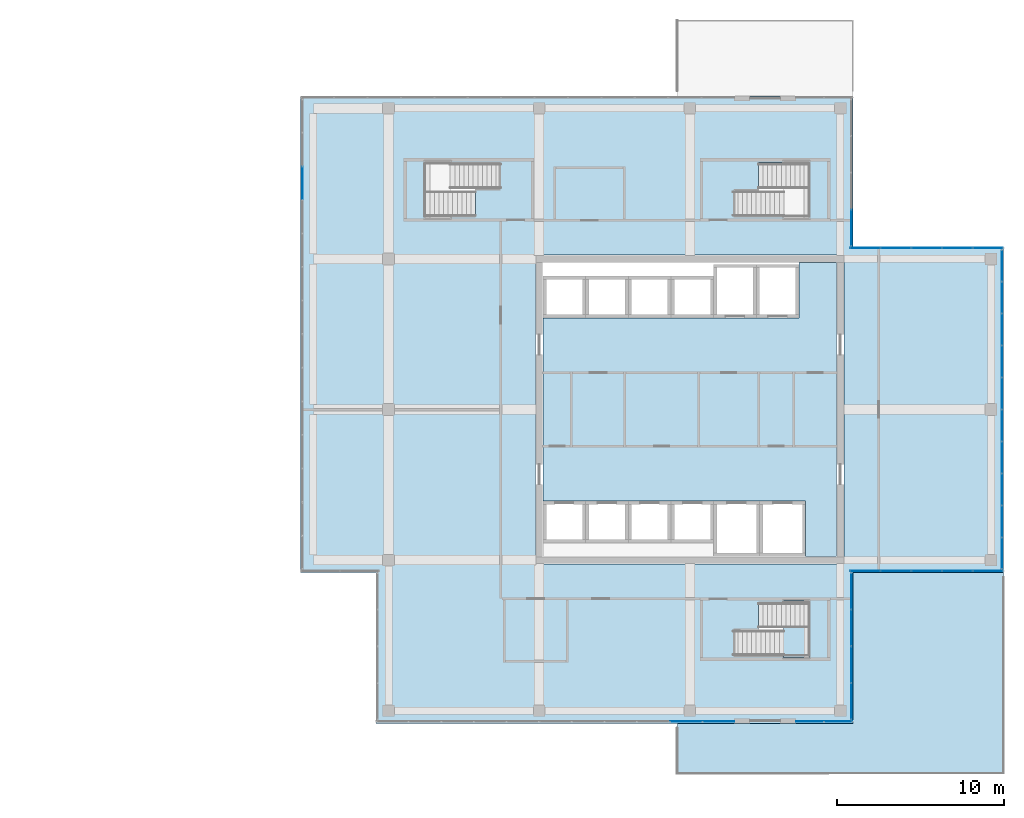
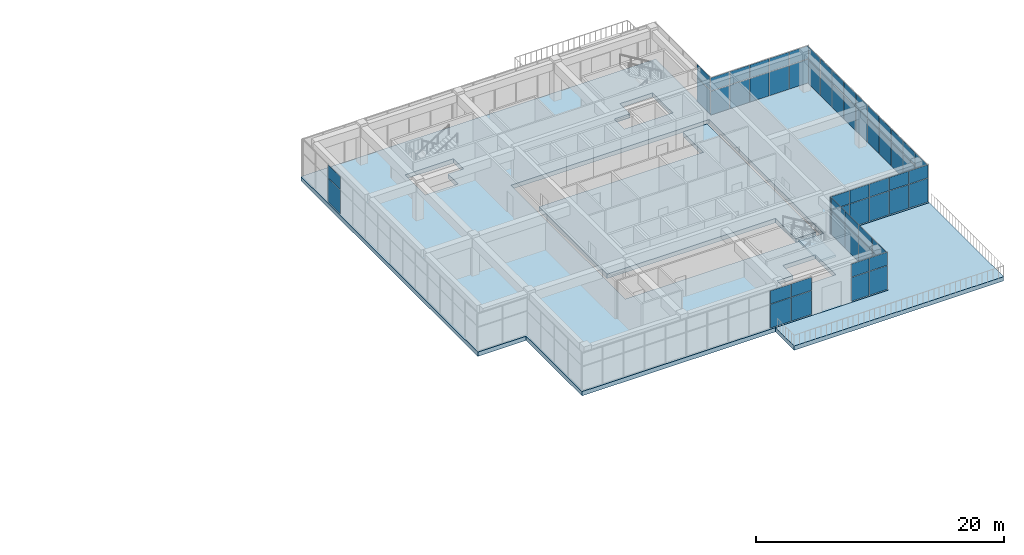
# One storey, part 37 of 49: 60 plates, 4 slabs, 9 elements without a shape of their own.
"""IFC4 building model written with IfcOpenShell, lengths in metres."""

import ifcopenshell
import ifcopenshell.guid

model = None  # the IFC model being written
_history = None  # IfcOwnerHistory: only IFC2X3 demands one
_inside = {}  # id of a spatial element -> (the spatial element, [elements in it])
_under = {}  # id of a project, library or spatial element -> (it, [spatial elements below it])
_declared = {}  # id of a project -> (the project, [libraries it declares])
_typed = {}  # id of a type object -> (the type object, [elements of that type])
_made_of = {}  # id of a material, layer set ... -> (it, [elements and type objects made of it])


def new_model(schema):
    """Start an empty IFC model of exactly this schema.

    Asked for "IFC4X3", IfcOpenShell would pick the latest addendum, in which some entities
    have other attributes; the version numbers below select the first issue.
    IFC2X3 requires an IfcOwnerHistory on every rooted entity: one is made here for all.
    """
    global model, _history
    if schema == "IFC4X3":
        model = ifcopenshell.file(schema_version=(4, 3, 0, 0))
    else:
        model = ifcopenshell.file(schema=schema)
    _inside.clear()
    _under.clear()
    _declared.clear()
    _typed.clear()
    _made_of.clear()
    _history = None
    if model.schema == "IFC2X3":
        org = make("IfcOrganization", Name="unknown")
        user = make(
            "IfcPersonAndOrganization",
            ThePerson=make("IfcPerson", FamilyName="unknown"),
            TheOrganization=org,
        )
        app = make(
            "IfcApplication",
            ApplicationDeveloper=org,
            Version="unknown",
            ApplicationFullName="unknown",
            ApplicationIdentifier="unknown",
        )
        _history = make(
            "IfcOwnerHistory",
            OwningUser=user,
            OwningApplication=app,
            ChangeAction="ADDED",
            CreationDate=0,
        )
    return model


def make(cls, **values):
    """One entity of the class cls with the attributes given. An attribute that is None is left unset."""
    return model.create_entity(
        cls, **{name: value for name, value in values.items() if value is not None}
    )


def rooted(cls, **values):
    """An entity with a GlobalId (a new one), such as an element, a storey or a relation."""
    return make(cls, GlobalId=ifcopenshell.guid.new(), OwnerHistory=_history, **values)


def si_unit(unit_type, name, prefix=None):
    """IfcSIUnit, for example si_unit("LENGTHUNIT", "METRE", prefix="MILLI")."""
    return make("IfcSIUnit", UnitType=unit_type, Prefix=prefix, Name=name)


def assignment(units):
    """IfcUnitAssignment: the units of a project."""
    return None if units is None else make("IfcUnitAssignment", Units=units)


def point(xyz):
    """IfcCartesianPoint."""
    return None if xyz is None else make("IfcCartesianPoint", Coordinates=xyz)


def direction(xyz):
    """IfcDirection."""
    return None if xyz is None else make("IfcDirection", DirectionRatios=xyz)


def frame(location, z_axis=None, x_axis=None):
    """IfcAxis2Placement3D, a coordinate frame: its origin and axes. An axis left out is left unset."""
    return make(
        "IfcAxis2Placement3D",
        Location=point(location),
        Axis=direction(z_axis),
        RefDirection=direction(x_axis),
    )


def frame_2d(location, x_axis=None):
    """IfcAxis2Placement2D, a coordinate frame in the plane: its origin and x axis."""
    return make(
        "IfcAxis2Placement2D", Location=point(location), RefDirection=direction(x_axis)
    )


def origin():
    """The frame at (0, 0, 0) with its axes left unset."""
    return frame((0.0, 0.0, 0.0))


def origin_2d():
    """The frame at (0, 0) in the plane with its x axis left unset."""
    return frame_2d((0.0, 0.0))


def place(relative_to, where):
    """IfcLocalPlacement: puts the frame where relative to a parent placement (None: the world)."""
    return make(
        "IfcLocalPlacement", PlacementRelTo=relative_to, RelativePlacement=where
    )


def context(
    kind, dimensions, precision=None, world=None, true_north=None, identifier=None
):
    """IfcGeometricRepresentationContext, for example the 3D "Model" context."""
    return make(
        "IfcGeometricRepresentationContext",
        ContextIdentifier=identifier,
        ContextType=kind,
        CoordinateSpaceDimension=dimensions,
        Precision=precision,
        WorldCoordinateSystem=world,
        TrueNorth=true_north,
    )


def subcontext(parent, identifier, kind, view, scale=None):
    """IfcGeometricRepresentationSubContext, for example "Body" below "Model"."""
    return make(
        "IfcGeometricRepresentationSubContext",
        ContextIdentifier=identifier,
        ContextType=kind,
        ParentContext=parent,
        TargetScale=scale,
        TargetView=view,
    )


def project(units=None, contexts=None):
    """IfcProject with its units and contexts."""
    return rooted(
        "IfcProject",
        Name="project",
        RepresentationContexts=contexts,
        UnitsInContext=assignment(units),
    )


def spatial(cls, under=None, at=None, **own):
    """A site, building, storey or space (cls), placed at a placement, below another one or the project."""
    s = rooted(cls, ObjectPlacement=at, **own)
    if under is not None:
        _under.setdefault(under.id(), (under, []))[1].append(s)
    return s


def polyline(points):
    """IfcPolyline through the points."""
    return make("IfcPolyline", Points=[point(p) for p in points])


def profile(cls, at=None, kind="AREA", **sizes):
    """A parametric profile (cls). Its sizes go by their IFC names, for example OverallWidth=200.0."""
    return make(cls, ProfileType=kind, Position=at, **sizes)


def rectangle(**sizes):
    """IfcRectangleProfileDef."""
    return profile("IfcRectangleProfileDef", **sizes)


def outline(outer, holes=None, kind="AREA"):
    """IfcArbitraryClosedProfileDef: a profile drawn as a closed curve; with holes, ...WithVoids."""
    if holes is None:
        return make("IfcArbitraryClosedProfileDef", ProfileType=kind, OuterCurve=outer)
    return make(
        "IfcArbitraryProfileDefWithVoids",
        ProfileType=kind,
        OuterCurve=outer,
        InnerCurves=holes,
    )


def extrude(swept, where, along, depth):
    """IfcExtrudedAreaSolid: the profile swept, set in the frame where, extruded along a direction by depth."""
    return make(
        "IfcExtrudedAreaSolid",
        SweptArea=swept,
        Position=where,
        ExtrudedDirection=direction(along),
        Depth=depth,
    )


def shape(context_of_items, identifier, shape_type, items):
    """IfcShapeRepresentation: the items that make up one representation, for example the "Body"."""
    return make(
        "IfcShapeRepresentation",
        ContextOfItems=context_of_items,
        RepresentationIdentifier=identifier,
        RepresentationType=shape_type,
        Items=items,
    )


def material(Name=None, Category=None):
    """IfcMaterial."""
    return make("IfcMaterial", Name=Name, Category=Category)


def layer(
    of_material, thickness, ventilated=None, Name=None, Category=None, Priority=None
):
    """IfcMaterialLayer: one layer of a wall or slab, of a material (None: an air gap)."""
    return make(
        "IfcMaterialLayer",
        Material=of_material,
        LayerThickness=thickness,
        IsVentilated=ventilated,
        Name=Name,
        Category=Category,
        Priority=Priority,
    )


def layer_set(layers, Name=None):
    """IfcMaterialLayerSet."""
    return make("IfcMaterialLayerSet", MaterialLayers=layers, LayerSetName=Name)


def made_of(thing, what):
    """Note that an element or type object is made of a material, layer set ...; save() writes the relation."""
    if what is not None:
        _made_of.setdefault(what.id(), (what, []))[1].append(thing)
    return thing


def type_object(cls, material=None, **own):
    """A type object (cls), such as IfcWallType, which elements share."""
    return made_of(rooted(cls, **own), material)


def element(
    cls,
    number,
    at=None,
    inside=None,
    cuts=None,
    type_object=None,
    material=None,
    context=None,
    identifier="Body",
    shape_type=None,
    held_by="IfcProductDefinitionShape",
    body=None,
    shapes=None,
    **own,
):
    """One element of the class cls, such as IfcWall. Its Tag is "e" and its number.

    at: its placement. inside: the storey or other place that contains it. cuts: it is an
    opening in that element (IfcRelVoidsElement). A single representation is given by context,
    identifier, shape_type and body (its items); several are given by shapes. held_by: the class
    of the entity that holds the representations. save() writes the other relations.
    """
    e = rooted(cls, Tag="e%d" % number, ObjectPlacement=at, **own)
    if body is not None:
        shapes = [shape(context, identifier, shape_type, body)]
    if shapes is not None:
        e.Representation = make(held_by, Representations=shapes)
    if inside is not None:
        _inside.setdefault(inside.id(), (inside, []))[1].append(e)
    if cuts is not None:
        rooted(
            "IfcRelVoidsElement", RelatingBuildingElement=cuts, RelatedOpeningElement=e
        )
    if type_object is not None:
        _typed.setdefault(type_object.id(), (type_object, []))[1].append(e)
    return made_of(e, material)


def aggregate(whole, parts):
    """IfcRelAggregates: a whole, such as a stair, and the parts it consists of."""
    return rooted("IfcRelAggregates", RelatingObject=whole, RelatedObjects=parts)


def save(model, path):
    """Write the relations noted so far, then the file.

    IfcRelAggregates (storeys below a building ...), IfcRelContainedInSpatialStructure (elements
    in a storey), IfcRelDefinesByType, IfcRelAssociatesMaterial and IfcRelDeclares: one each for
    every whole, place, type object, material and project.
    """
    for whole, parts in _under.values():
        aggregate(whole, parts)
    for where, things in _inside.values():
        rooted(
            "IfcRelContainedInSpatialStructure",
            RelatedElements=things,
            RelatingStructure=where,
        )
    for kind, things in _typed.values():
        rooted("IfcRelDefinesByType", RelatedObjects=things, RelatingType=kind)
    for what, things in _made_of.values():
        rooted("IfcRelAssociatesMaterial", RelatedObjects=things, RelatingMaterial=what)
    for by, libraries in _declared.values():
        rooted("IfcRelDeclares", RelatingContext=by, RelatedDefinitions=libraries)
    model.write(path)


model = new_model("IFC4")

# Units and contexts
model_context = context("Model", 3, precision=1e-05, world=origin(), true_north=direction((0.0, 1.0)))
body_context = subcontext(model_context, "Body", "Model", "MODEL_VIEW")
ifc_project = project(units=[si_unit("LENGTHUNIT", "METRE"), si_unit("AREAUNIT", "SQUARE_METRE"), si_unit("VOLUMEUNIT", "CUBIC_METRE"), si_unit("PLANEANGLEUNIT", "RADIAN"), si_unit("MASSUNIT", "GRAM", prefix="KILO")], contexts=[model_context])

# Site, building, storey
site_placement = place(None, origin())
site = spatial("IfcSite", under=ifc_project, at=site_placement, CompositionType="ELEMENT")
building_placement = place(site_placement, origin())
building = spatial("IfcBuilding", under=site, at=building_placement, Name="Tuart Plaza Theatre", CompositionType="ELEMENT")
storey_placement = place(building_placement, frame((0.0, 0.0, 29.5)))
storey = spatial("IfcBuildingStorey", under=building, at=storey_placement, Name="L07", CompositionType="ELEMENT", Elevation=29.5)

# Curtain wall, plates
ifc_material_1 = material(Name="Aluminium and glass", Category="aluminium")
ifc_layer_1 = layer(ifc_material_1, 0.10009765625)
ifc_layer_set_1 = layer_set([ifc_layer_1], Name="CURTAIN WALL 2000 module")
curtain_wall_type = type_object("IfcCurtainWallType", Name="CURTAIN WALL 2000 module", PredefinedType="NOTDEFINED", material=ifc_layer_set_1)
curtain_wall_1_placement = place(storey_placement, origin())
curtain_wall_1 = element("IfcCurtainWall", 1, at=curtain_wall_1_placement, inside=storey, type_object=curtain_wall_type, Name="CW88", PredefinedType="NOTDEFINED")
ifc_material_2 = material(Name="Glass", Category="glass")
ifc_layer_2 = layer(ifc_material_2, 0.028076171875)
ifc_layer_set_2 = layer_set([ifc_layer_2], Name="CURTAIN PANEL double glazed 28")
plate_type_1 = type_object("IfcPlateType", Name="CURTAIN PANEL double glazed 28", PredefinedType="CURTAIN_PANEL", material=ifc_layer_set_2)
plate_1_placement = place(storey_placement, frame((131.77490234375, 55.35009765625, 0.0498046875), z_axis=(0.0, 0.0, 1.0), x_axis=(1.0, 0.0, 0.0)))
plate_1 = element("IfcPlate", 2, at=plate_1_placement, type_object=plate_type_1, Name="CW88 panel 10.1", PredefinedType="CURTAIN_PANEL", context=body_context, shape_type="SweptSolid", body=[
    extrude(rectangle(XDim=1.89990234375, YDim=0.028076171875, at=origin_2d()), origin(), (0.0, 0.0, 1.0), 2.324951171875),
])
plate_2_placement = place(storey_placement, frame((131.77490234375, 55.35009765625, 2.425048828125), z_axis=(0.0, 0.0, 1.0), x_axis=(1.0, 0.0, 0.0)))
plate_2 = element("IfcPlate", 3, at=plate_2_placement, type_object=plate_type_1, Name="CW88 panel 10.2", PredefinedType="CURTAIN_PANEL", context=body_context, shape_type="SweptSolid", body=[
    extrude(rectangle(XDim=1.89990234375, YDim=0.028076171875, at=origin_2d()), origin(), (0.0, 0.0, 1.0), 1.27490234375),
])
plate_3_placement = place(storey_placement, frame((133.71240234375, 55.35009765625, 0.0498046875), z_axis=(0.0, 0.0, 1.0), x_axis=(1.0, 0.0, 0.0)))
plate_3 = element("IfcPlate", 4, at=plate_3_placement, type_object=plate_type_1, Name="CW88 panel 11.1", PredefinedType="CURTAIN_PANEL", context=body_context, shape_type="SweptSolid", body=[
    extrude(rectangle(XDim=1.875, YDim=0.028076171875, at=origin_2d()), origin(), (0.0, 0.0, 1.0), 2.324951171875),
])
plate_4_placement = place(storey_placement, frame((133.71240234375, 55.35009765625, 2.425048828125), z_axis=(0.0, 0.0, 1.0), x_axis=(1.0, 0.0, 0.0)))
plate_4 = element("IfcPlate", 5, at=plate_4_placement, type_object=plate_type_1, Name="CW88 panel 11.2", PredefinedType="CURTAIN_PANEL", context=body_context, shape_type="SweptSolid", body=[
    extrude(rectangle(XDim=1.875, YDim=0.028076171875, at=origin_2d()), origin(), (0.0, 0.0, 1.0), 1.27490234375),
])
aggregate(curtain_wall_1, [plate_1, plate_2, plate_3, plate_4])

curtain_wall_2_placement = place(storey_placement, origin())
curtain_wall_2 = element("IfcCurtainWall", 6, at=curtain_wall_2_placement, inside=storey, type_object=curtain_wall_type, Name="CW89", PredefinedType="NOTDEFINED")
plate_5_placement = place(storey_placement, frame((140.875, 55.35009765625, 0.0498046875), z_axis=(0.0, 0.0, 1.0), x_axis=(1.0, 0.0, 0.0)))
plate_5 = element("IfcPlate", 7, at=plate_5_placement, type_object=plate_type_1, Name="CW89 panel 2.1", PredefinedType="CURTAIN_PANEL", context=body_context, shape_type="SweptSolid", body=[
    extrude(rectangle(XDim=1.64990234375, YDim=0.028076171875, at=origin_2d()), origin(), (0.0, 0.0, 1.0), 2.324951171875),
])
plate_6_placement = place(storey_placement, frame((140.875, 55.35009765625, 2.425048828125), z_axis=(0.0, 0.0, 1.0), x_axis=(1.0, 0.0, 0.0)))
plate_6 = element("IfcPlate", 8, at=plate_6_placement, type_object=plate_type_1, Name="CW89 panel 2.2", PredefinedType="CURTAIN_PANEL", context=body_context, shape_type="SweptSolid", body=[
    extrude(rectangle(XDim=1.64990234375, YDim=0.028076171875, at=origin_2d()), origin(), (0.0, 0.0, 1.0), 1.27490234375),
])

curtain_wall_3_placement = place(storey_placement, origin())
curtain_wall_3 = element("IfcCurtainWall", 9, at=curtain_wall_3_placement, inside=storey, type_object=curtain_wall_type, Name="CW90", PredefinedType="NOTDEFINED")
plate_7_placement = place(storey_placement, frame((141.64990234375, 56.5625, 0.0498046875), z_axis=(0.0, 0.0, 1.0), x_axis=(0.0, 1.0, 0.0)))
plate_7 = element("IfcPlate", 10, at=plate_7_placement, type_object=plate_type_1, Name="CW90 panel 1.1", PredefinedType="CURTAIN_PANEL", context=body_context, shape_type="SweptSolid", body=[
    extrude(rectangle(XDim=2.125, YDim=0.028076171875, at=origin_2d()), origin(), (0.0, 0.0, 1.0), 2.324951171875),
])
plate_8_placement = place(storey_placement, frame((141.64990234375, 56.5625, 2.425048828125), z_axis=(0.0, 0.0, 1.0), x_axis=(0.0, 1.0, 0.0)))
plate_8 = element("IfcPlate", 11, at=plate_8_placement, type_object=plate_type_1, Name="CW90 panel 1.2", PredefinedType="CURTAIN_PANEL", context=body_context, shape_type="SweptSolid", body=[
    extrude(rectangle(XDim=2.125, YDim=0.028076171875, at=origin_2d()), origin(), (0.0, 0.0, 1.0), 1.27490234375),
])
plate_9_placement = place(storey_placement, frame((141.64990234375, 58.75, 0.0498046875), z_axis=(0.0, 0.0, 1.0), x_axis=(0.0, 1.0, 0.0)))
plate_9 = element("IfcPlate", 12, at=plate_9_placement, type_object=plate_type_1, Name="CW90 panel 2.1", PredefinedType="CURTAIN_PANEL", context=body_context, shape_type="SweptSolid", body=[
    extrude(rectangle(XDim=2.14990234375, YDim=0.028076171875, at=origin_2d()), origin(), (0.0, 0.0, 1.0), 2.324951171875),
])
plate_10_placement = place(storey_placement, frame((141.64990234375, 58.75, 2.425048828125), z_axis=(0.0, 0.0, 1.0), x_axis=(0.0, 1.0, 0.0)))
plate_10 = element("IfcPlate", 13, at=plate_10_placement, type_object=plate_type_1, Name="CW90 panel 2.2", PredefinedType="CURTAIN_PANEL", context=body_context, shape_type="SweptSolid", body=[
    extrude(rectangle(XDim=2.14990234375, YDim=0.028076171875, at=origin_2d()), origin(), (0.0, 0.0, 1.0), 1.27490234375),
])
plate_11_placement = place(storey_placement, frame((141.64990234375, 60.949951171875, 0.0498046875), z_axis=(0.0, 0.0, 1.0), x_axis=(0.0, 1.0, 0.0)))
plate_11 = element("IfcPlate", 14, at=plate_11_placement, type_object=plate_type_1, Name="CW90 panel 3.1", PredefinedType="CURTAIN_PANEL", context=body_context, shape_type="SweptSolid", body=[
    extrude(rectangle(XDim=2.14990234375, YDim=0.028076171875, at=origin_2d()), origin(), (0.0, 0.0, 1.0), 2.324951171875),
])
plate_12_placement = place(storey_placement, frame((141.64990234375, 60.949951171875, 2.425048828125), z_axis=(0.0, 0.0, 1.0), x_axis=(0.0, 1.0, 0.0)))
plate_12 = element("IfcPlate", 15, at=plate_12_placement, type_object=plate_type_1, Name="CW90 panel 3.2", PredefinedType="CURTAIN_PANEL", context=body_context, shape_type="SweptSolid", body=[
    extrude(rectangle(XDim=2.14990234375, YDim=0.028076171875, at=origin_2d()), origin(), (0.0, 0.0, 1.0), 1.27490234375),
])
plate_13_placement = place(storey_placement, frame((141.64990234375, 63.137451171875, 0.0498046875), z_axis=(0.0, 0.0, 1.0), x_axis=(0.0, 1.0, 0.0)))
plate_13 = element("IfcPlate", 16, at=plate_13_placement, type_object=plate_type_1, Name="CW90 panel 4.1", PredefinedType="CURTAIN_PANEL", context=body_context, shape_type="SweptSolid", body=[
    extrude(rectangle(XDim=2.125, YDim=0.028076171875, at=origin_2d()), origin(), (0.0, 0.0, 1.0), 2.324951171875),
])
plate_14_placement = place(storey_placement, frame((141.64990234375, 63.137451171875, 2.425048828125), z_axis=(0.0, 0.0, 1.0), x_axis=(0.0, 1.0, 0.0)))
plate_14 = element("IfcPlate", 17, at=plate_14_placement, type_object=plate_type_1, Name="CW90 panel 4.2", PredefinedType="CURTAIN_PANEL", context=body_context, shape_type="SweptSolid", body=[
    extrude(rectangle(XDim=2.125, YDim=0.028076171875, at=origin_2d()), origin(), (0.0, 0.0, 1.0), 1.27490234375),
])
aggregate(curtain_wall_3, [plate_7, plate_8, plate_9, plate_10, plate_11, plate_12, plate_13, plate_14])

curtain_wall_4_placement = place(storey_placement, origin())
curtain_wall_4 = element("IfcCurtainWall", 18, at=curtain_wall_4_placement, inside=storey, type_object=curtain_wall_type, Name="CW91", PredefinedType="NOTDEFINED")
plate_15_placement = place(storey_placement, frame((142.482421875, 64.35009765625, 0.0498046875), z_axis=(0.0, 0.0, 1.0), x_axis=(1.0, 0.0, 0.0)))
plate_15 = element("IfcPlate", 19, at=plate_15_placement, type_object=plate_type_1, Name="CW91 panel 1.1", PredefinedType="CURTAIN_PANEL", context=body_context, shape_type="SweptSolid", body=[
    extrude(rectangle(XDim=1.764892578125, YDim=0.028076171875, at=origin_2d()), origin(), (0.0, 0.0, 1.0), 2.324951171875),
])
plate_16_placement = place(storey_placement, frame((142.482421875, 64.35009765625, 2.425048828125), z_axis=(0.0, 0.0, 1.0), x_axis=(1.0, 0.0, 0.0)))
plate_16 = element("IfcPlate", 20, at=plate_16_placement, type_object=plate_type_1, Name="CW91 panel 1.2", PredefinedType="CURTAIN_PANEL", context=body_context, shape_type="SweptSolid", body=[
    extrude(rectangle(XDim=1.764892578125, YDim=0.028076171875, at=origin_2d()), origin(), (0.0, 0.0, 1.0), 1.27490234375),
])
plate_17_placement = place(storey_placement, frame((144.31005859375, 64.35009765625, 0.0498046875), z_axis=(0.0, 0.0, 1.0), x_axis=(1.0, 0.0, 0.0)))
plate_17 = element("IfcPlate", 21, at=plate_17_placement, type_object=plate_type_1, Name="CW91 panel 2.1", PredefinedType="CURTAIN_PANEL", context=body_context, shape_type="SweptSolid", body=[
    extrude(rectangle(XDim=1.7900390625, YDim=0.028076171875, at=origin_2d()), origin(), (0.0, 0.0, 1.0), 2.324951171875),
])
plate_18_placement = place(storey_placement, frame((144.31005859375, 64.35009765625, 2.425048828125), z_axis=(0.0, 0.0, 1.0), x_axis=(1.0, 0.0, 0.0)))
plate_18 = element("IfcPlate", 22, at=plate_18_placement, type_object=plate_type_1, Name="CW91 panel 2.2", PredefinedType="CURTAIN_PANEL", context=body_context, shape_type="SweptSolid", body=[
    extrude(rectangle(XDim=1.7900390625, YDim=0.028076171875, at=origin_2d()), origin(), (0.0, 0.0, 1.0), 1.27490234375),
])
plate_19_placement = place(storey_placement, frame((146.14990234375, 64.35009765625, 0.0498046875), z_axis=(0.0, 0.0, 1.0), x_axis=(1.0, 0.0, 0.0)))
plate_19 = element("IfcPlate", 23, at=plate_19_placement, type_object=plate_type_1, Name="CW91 panel 3.1", PredefinedType="CURTAIN_PANEL", context=body_context, shape_type="SweptSolid", body=[
    extrude(rectangle(XDim=1.7900390625, YDim=0.028076171875, at=origin_2d()), origin(), (0.0, 0.0, 1.0), 2.324951171875),
])
plate_20_placement = place(storey_placement, frame((146.14990234375, 64.35009765625, 2.425048828125), z_axis=(0.0, 0.0, 1.0), x_axis=(1.0, 0.0, 0.0)))
plate_20 = element("IfcPlate", 24, at=plate_20_placement, type_object=plate_type_1, Name="CW91 panel 3.2", PredefinedType="CURTAIN_PANEL", context=body_context, shape_type="SweptSolid", body=[
    extrude(rectangle(XDim=1.7900390625, YDim=0.028076171875, at=origin_2d()), origin(), (0.0, 0.0, 1.0), 1.27490234375),
])
plate_21_placement = place(storey_placement, frame((147.989990234375, 64.35009765625, 0.0498046875), z_axis=(0.0, 0.0, 1.0), x_axis=(1.0, 0.0, 0.0)))
plate_21 = element("IfcPlate", 25, at=plate_21_placement, type_object=plate_type_1, Name="CW91 panel 4.1", PredefinedType="CURTAIN_PANEL", context=body_context, shape_type="SweptSolid", body=[
    extrude(rectangle(XDim=1.7900390625, YDim=0.028076171875, at=origin_2d()), origin(), (0.0, 0.0, 1.0), 2.324951171875),
])
plate_22_placement = place(storey_placement, frame((147.989990234375, 64.35009765625, 2.425048828125), z_axis=(0.0, 0.0, 1.0), x_axis=(1.0, 0.0, 0.0)))
plate_22 = element("IfcPlate", 26, at=plate_22_placement, type_object=plate_type_1, Name="CW91 panel 4.2", PredefinedType="CURTAIN_PANEL", context=body_context, shape_type="SweptSolid", body=[
    extrude(rectangle(XDim=1.7900390625, YDim=0.028076171875, at=origin_2d()), origin(), (0.0, 0.0, 1.0), 1.27490234375),
])
plate_23_placement = place(storey_placement, frame((149.8173828125, 64.35009765625, 0.0498046875), z_axis=(0.0, 0.0, 1.0), x_axis=(1.0, 0.0, 0.0)))
plate_23 = element("IfcPlate", 27, at=plate_23_placement, type_object=plate_type_1, Name="CW91 panel 5.1", PredefinedType="CURTAIN_PANEL", context=body_context, shape_type="SweptSolid", body=[
    extrude(rectangle(XDim=1.764892578125, YDim=0.028076171875, at=origin_2d()), origin(), (0.0, 0.0, 1.0), 2.324951171875),
])
plate_24_placement = place(storey_placement, frame((149.8173828125, 64.35009765625, 2.425048828125), z_axis=(0.0, 0.0, 1.0), x_axis=(1.0, 0.0, 0.0)))
plate_24 = element("IfcPlate", 28, at=plate_24_placement, type_object=plate_type_1, Name="CW91 panel 5.2", PredefinedType="CURTAIN_PANEL", context=body_context, shape_type="SweptSolid", body=[
    extrude(rectangle(XDim=1.764892578125, YDim=0.028076171875, at=origin_2d()), origin(), (0.0, 0.0, 1.0), 1.27490234375),
])
aggregate(curtain_wall_4, [plate_15, plate_16, plate_17, plate_18, plate_19, plate_20, plate_21, plate_22, plate_23, plate_24])

curtain_wall_5_placement = place(storey_placement, origin())
curtain_wall_5 = element("IfcCurtainWall", 29, at=curtain_wall_5_placement, inside=storey, type_object=curtain_wall_type, Name="CW92", PredefinedType="NOTDEFINED")
plate_25_placement = place(storey_placement, frame((150.64990234375, 65.41748046875, 0.0498046875), z_axis=(0.0, 0.0, 1.0), x_axis=(0.0, 1.0, 0.0)))
plate_25 = element("IfcPlate", 30, at=plate_25_placement, type_object=plate_type_1, Name="CW92 panel 1.1", PredefinedType="CURTAIN_PANEL", context=body_context, shape_type="SweptSolid", body=[
    extrude(rectangle(XDim=1.8349609375, YDim=0.028076171875, at=origin_2d()), origin(), (0.0, 0.0, 1.0), 2.324951171875),
])
plate_26_placement = place(storey_placement, frame((150.64990234375, 65.41748046875, 2.425048828125), z_axis=(0.0, 0.0, 1.0), x_axis=(0.0, 1.0, 0.0)))
plate_26 = element("IfcPlate", 31, at=plate_26_placement, type_object=plate_type_1, Name="CW92 panel 1.2", PredefinedType="CURTAIN_PANEL", context=body_context, shape_type="SweptSolid", body=[
    extrude(rectangle(XDim=1.8349609375, YDim=0.028076171875, at=origin_2d()), origin(), (0.0, 0.0, 1.0), 1.27490234375),
])
plate_27_placement = place(storey_placement, frame((150.64990234375, 67.31494140625, 0.0498046875), z_axis=(0.0, 0.0, 1.0), x_axis=(0.0, 1.0, 0.0)))
plate_27 = element("IfcPlate", 32, at=plate_27_placement, type_object=plate_type_1, Name="CW92 panel 2.1", PredefinedType="CURTAIN_PANEL", context=body_context, shape_type="SweptSolid", body=[
    extrude(rectangle(XDim=1.860107421875, YDim=0.028076171875, at=origin_2d()), origin(), (0.0, 0.0, 1.0), 2.324951171875),
])
plate_28_placement = place(storey_placement, frame((150.64990234375, 67.31494140625, 2.425048828125), z_axis=(0.0, 0.0, 1.0), x_axis=(0.0, 1.0, 0.0)))
plate_28 = element("IfcPlate", 33, at=plate_28_placement, type_object=plate_type_1, Name="CW92 panel 2.2", PredefinedType="CURTAIN_PANEL", context=body_context, shape_type="SweptSolid", body=[
    extrude(rectangle(XDim=1.860107421875, YDim=0.028076171875, at=origin_2d()), origin(), (0.0, 0.0, 1.0), 1.27490234375),
])
plate_29_placement = place(storey_placement, frame((150.64990234375, 69.22509765625, 0.0498046875), z_axis=(0.0, 0.0, 1.0), x_axis=(0.0, 1.0, 0.0)))
plate_29 = element("IfcPlate", 34, at=plate_29_placement, type_object=plate_type_1, Name="CW92 panel 3.1", PredefinedType="CURTAIN_PANEL", context=body_context, shape_type="SweptSolid", body=[
    extrude(rectangle(XDim=1.860107421875, YDim=0.028076171875, at=origin_2d()), origin(), (0.0, 0.0, 1.0), 2.324951171875),
])
plate_30_placement = place(storey_placement, frame((150.64990234375, 69.22509765625, 2.425048828125), z_axis=(0.0, 0.0, 1.0), x_axis=(0.0, 1.0, 0.0)))
plate_30 = element("IfcPlate", 35, at=plate_30_placement, type_object=plate_type_1, Name="CW92 panel 3.2", PredefinedType="CURTAIN_PANEL", context=body_context, shape_type="SweptSolid", body=[
    extrude(rectangle(XDim=1.860107421875, YDim=0.028076171875, at=origin_2d()), origin(), (0.0, 0.0, 1.0), 1.27490234375),
])
plate_31_placement = place(storey_placement, frame((150.64990234375, 71.135009765625, 0.0498046875), z_axis=(0.0, 0.0, 1.0), x_axis=(0.0, 1.0, 0.0)))
plate_31 = element("IfcPlate", 36, at=plate_31_placement, type_object=plate_type_1, Name="CW92 panel 4.1", PredefinedType="CURTAIN_PANEL", context=body_context, shape_type="SweptSolid", body=[
    extrude(rectangle(XDim=1.860107421875, YDim=0.028076171875, at=origin_2d()), origin(), (0.0, 0.0, 1.0), 2.324951171875),
])
plate_32_placement = place(storey_placement, frame((150.64990234375, 71.135009765625, 2.425048828125), z_axis=(0.0, 0.0, 1.0), x_axis=(0.0, 1.0, 0.0)))
plate_32 = element("IfcPlate", 37, at=plate_32_placement, type_object=plate_type_1, Name="CW92 panel 4.2", PredefinedType="CURTAIN_PANEL", context=body_context, shape_type="SweptSolid", body=[
    extrude(rectangle(XDim=1.860107421875, YDim=0.028076171875, at=origin_2d()), origin(), (0.0, 0.0, 1.0), 1.27490234375),
])
plate_33_placement = place(storey_placement, frame((150.64990234375, 73.044921875, 0.0498046875), z_axis=(0.0, 0.0, 1.0), x_axis=(0.0, 1.0, 0.0)))
plate_33 = element("IfcPlate", 38, at=plate_33_placement, type_object=plate_type_1, Name="CW92 panel 5.1", PredefinedType="CURTAIN_PANEL", context=body_context, shape_type="SweptSolid", body=[
    extrude(rectangle(XDim=1.860107421875, YDim=0.028076171875, at=origin_2d()), origin(), (0.0, 0.0, 1.0), 2.324951171875),
])
plate_34_placement = place(storey_placement, frame((150.64990234375, 73.044921875, 2.425048828125), z_axis=(0.0, 0.0, 1.0), x_axis=(0.0, 1.0, 0.0)))
plate_34 = element("IfcPlate", 39, at=plate_34_placement, type_object=plate_type_1, Name="CW92 panel 5.2", PredefinedType="CURTAIN_PANEL", context=body_context, shape_type="SweptSolid", body=[
    extrude(rectangle(XDim=1.860107421875, YDim=0.028076171875, at=origin_2d()), origin(), (0.0, 0.0, 1.0), 1.27490234375),
])
plate_35_placement = place(storey_placement, frame((150.64990234375, 74.955078125, 0.0498046875), z_axis=(0.0, 0.0, 1.0), x_axis=(0.0, 1.0, 0.0)))
plate_35 = element("IfcPlate", 40, at=plate_35_placement, type_object=plate_type_1, Name="CW92 panel 6.1", PredefinedType="CURTAIN_PANEL", context=body_context, shape_type="SweptSolid", body=[
    extrude(rectangle(XDim=1.860107421875, YDim=0.028076171875, at=origin_2d()), origin(), (0.0, 0.0, 1.0), 2.324951171875),
])
plate_36_placement = place(storey_placement, frame((150.64990234375, 74.955078125, 2.425048828125), z_axis=(0.0, 0.0, 1.0), x_axis=(0.0, 1.0, 0.0)))
plate_36 = element("IfcPlate", 41, at=plate_36_placement, type_object=plate_type_1, Name="CW92 panel 6.2", PredefinedType="CURTAIN_PANEL", context=body_context, shape_type="SweptSolid", body=[
    extrude(rectangle(XDim=1.860107421875, YDim=0.028076171875, at=origin_2d()), origin(), (0.0, 0.0, 1.0), 1.27490234375),
])
plate_37_placement = place(storey_placement, frame((150.64990234375, 76.864990234375, 0.0498046875), z_axis=(0.0, 0.0, 1.0), x_axis=(0.0, 1.0, 0.0)))
plate_37 = element("IfcPlate", 42, at=plate_37_placement, type_object=plate_type_1, Name="CW92 panel 7.1", PredefinedType="CURTAIN_PANEL", context=body_context, shape_type="SweptSolid", body=[
    extrude(rectangle(XDim=1.860107421875, YDim=0.028076171875, at=origin_2d()), origin(), (0.0, 0.0, 1.0), 2.324951171875),
])
plate_38_placement = place(storey_placement, frame((150.64990234375, 76.864990234375, 2.425048828125), z_axis=(0.0, 0.0, 1.0), x_axis=(0.0, 1.0, 0.0)))
plate_38 = element("IfcPlate", 43, at=plate_38_placement, type_object=plate_type_1, Name="CW92 panel 7.2", PredefinedType="CURTAIN_PANEL", context=body_context, shape_type="SweptSolid", body=[
    extrude(rectangle(XDim=1.860107421875, YDim=0.028076171875, at=origin_2d()), origin(), (0.0, 0.0, 1.0), 1.27490234375),
])
plate_39_placement = place(storey_placement, frame((150.64990234375, 78.77490234375, 0.0498046875), z_axis=(0.0, 0.0, 1.0), x_axis=(0.0, 1.0, 0.0)))
plate_39 = element("IfcPlate", 44, at=plate_39_placement, type_object=plate_type_1, Name="CW92 panel 8.1", PredefinedType="CURTAIN_PANEL", context=body_context, shape_type="SweptSolid", body=[
    extrude(rectangle(XDim=1.860107421875, YDim=0.028076171875, at=origin_2d()), origin(), (0.0, 0.0, 1.0), 2.324951171875),
])
plate_40_placement = place(storey_placement, frame((150.64990234375, 78.77490234375, 2.425048828125), z_axis=(0.0, 0.0, 1.0), x_axis=(0.0, 1.0, 0.0)))
plate_40 = element("IfcPlate", 45, at=plate_40_placement, type_object=plate_type_1, Name="CW92 panel 8.2", PredefinedType="CURTAIN_PANEL", context=body_context, shape_type="SweptSolid", body=[
    extrude(rectangle(XDim=1.860107421875, YDim=0.028076171875, at=origin_2d()), origin(), (0.0, 0.0, 1.0), 1.27490234375),
])
plate_41_placement = place(storey_placement, frame((150.64990234375, 80.68505859375, 0.0498046875), z_axis=(0.0, 0.0, 1.0), x_axis=(0.0, 1.0, 0.0)))
plate_41 = element("IfcPlate", 46, at=plate_41_placement, type_object=plate_type_1, Name="CW92 panel 9.1", PredefinedType="CURTAIN_PANEL", context=body_context, shape_type="SweptSolid", body=[
    extrude(rectangle(XDim=1.860107421875, YDim=0.028076171875, at=origin_2d()), origin(), (0.0, 0.0, 1.0), 2.324951171875),
])
plate_42_placement = place(storey_placement, frame((150.64990234375, 80.68505859375, 2.425048828125), z_axis=(0.0, 0.0, 1.0), x_axis=(0.0, 1.0, 0.0)))
plate_42 = element("IfcPlate", 47, at=plate_42_placement, type_object=plate_type_1, Name="CW92 panel 9.2", PredefinedType="CURTAIN_PANEL", context=body_context, shape_type="SweptSolid", body=[
    extrude(rectangle(XDim=1.860107421875, YDim=0.028076171875, at=origin_2d()), origin(), (0.0, 0.0, 1.0), 1.27490234375),
])
plate_43_placement = place(storey_placement, frame((150.64990234375, 82.58251953125, 0.0498046875), z_axis=(0.0, 0.0, 1.0), x_axis=(0.0, 1.0, 0.0)))
plate_43 = element("IfcPlate", 48, at=plate_43_placement, type_object=plate_type_1, Name="CW92 panel 10.1", PredefinedType="CURTAIN_PANEL", context=body_context, shape_type="SweptSolid", body=[
    extrude(rectangle(XDim=1.8349609375, YDim=0.028076171875, at=origin_2d()), origin(), (0.0, 0.0, 1.0), 2.324951171875),
])
plate_44_placement = place(storey_placement, frame((150.64990234375, 82.58251953125, 2.425048828125), z_axis=(0.0, 0.0, 1.0), x_axis=(0.0, 1.0, 0.0)))
plate_44 = element("IfcPlate", 49, at=plate_44_placement, type_object=plate_type_1, Name="CW92 panel 10.2", PredefinedType="CURTAIN_PANEL", context=body_context, shape_type="SweptSolid", body=[
    extrude(rectangle(XDim=1.8349609375, YDim=0.028076171875, at=origin_2d()), origin(), (0.0, 0.0, 1.0), 1.27490234375),
])
aggregate(curtain_wall_5, [plate_25, plate_26, plate_27, plate_28, plate_29, plate_30, plate_31, plate_32, plate_33, plate_34, plate_35, plate_36, plate_37, plate_38, plate_39, plate_40, plate_41, plate_42, plate_43, plate_44])

curtain_wall_6_placement = place(storey_placement, origin())
curtain_wall_6 = element("IfcCurtainWall", 50, at=curtain_wall_6_placement, inside=storey, type_object=curtain_wall_type, Name="CW93", PredefinedType="NOTDEFINED")
plate_45_placement = place(storey_placement, frame((149.8173828125, 83.64990234375, 0.0498046875), z_axis=(0.0, 0.0, 1.0), x_axis=(-1.0, 0.0, 0.0)))
plate_45 = element("IfcPlate", 51, at=plate_45_placement, type_object=plate_type_1, Name="CW93 panel 1.1", PredefinedType="CURTAIN_PANEL", context=body_context, shape_type="SweptSolid", body=[
    extrude(rectangle(XDim=1.764892578125, YDim=0.028076171875, at=origin_2d()), origin(), (0.0, 0.0, 1.0), 2.324951171875),
])
plate_46_placement = place(storey_placement, frame((149.8173828125, 83.64990234375, 2.425048828125), z_axis=(0.0, 0.0, 1.0), x_axis=(-1.0, 0.0, 0.0)))
plate_46 = element("IfcPlate", 52, at=plate_46_placement, type_object=plate_type_1, Name="CW93 panel 1.2", PredefinedType="CURTAIN_PANEL", context=body_context, shape_type="SweptSolid", body=[
    extrude(rectangle(XDim=1.764892578125, YDim=0.028076171875, at=origin_2d()), origin(), (0.0, 0.0, 1.0), 1.27490234375),
])
plate_47_placement = place(storey_placement, frame((147.989990234375, 83.64990234375, 0.0498046875), z_axis=(0.0, 0.0, 1.0), x_axis=(-1.0, 0.0, 0.0)))
plate_47 = element("IfcPlate", 53, at=plate_47_placement, type_object=plate_type_1, Name="CW93 panel 2.1", PredefinedType="CURTAIN_PANEL", context=body_context, shape_type="SweptSolid", body=[
    extrude(rectangle(XDim=1.7900390625, YDim=0.028076171875, at=origin_2d()), origin(), (0.0, 0.0, 1.0), 2.324951171875),
])
plate_48_placement = place(storey_placement, frame((147.989990234375, 83.64990234375, 2.425048828125), z_axis=(0.0, 0.0, 1.0), x_axis=(-1.0, 0.0, 0.0)))
plate_48 = element("IfcPlate", 54, at=plate_48_placement, type_object=plate_type_1, Name="CW93 panel 2.2", PredefinedType="CURTAIN_PANEL", context=body_context, shape_type="SweptSolid", body=[
    extrude(rectangle(XDim=1.7900390625, YDim=0.028076171875, at=origin_2d()), origin(), (0.0, 0.0, 1.0), 1.27490234375),
])
plate_49_placement = place(storey_placement, frame((146.14990234375, 83.64990234375, 0.0498046875), z_axis=(0.0, 0.0, 1.0), x_axis=(-1.0, 0.0, 0.0)))
plate_49 = element("IfcPlate", 55, at=plate_49_placement, type_object=plate_type_1, Name="CW93 panel 3.1", PredefinedType="CURTAIN_PANEL", context=body_context, shape_type="SweptSolid", body=[
    extrude(rectangle(XDim=1.7900390625, YDim=0.028076171875, at=origin_2d()), origin(), (0.0, 0.0, 1.0), 2.324951171875),
])
plate_50_placement = place(storey_placement, frame((146.14990234375, 83.64990234375, 2.425048828125), z_axis=(0.0, 0.0, 1.0), x_axis=(-1.0, 0.0, 0.0)))
plate_50 = element("IfcPlate", 56, at=plate_50_placement, type_object=plate_type_1, Name="CW93 panel 3.2", PredefinedType="CURTAIN_PANEL", context=body_context, shape_type="SweptSolid", body=[
    extrude(rectangle(XDim=1.7900390625, YDim=0.028076171875, at=origin_2d()), origin(), (0.0, 0.0, 1.0), 1.27490234375),
])
plate_51_placement = place(storey_placement, frame((144.31005859375, 83.64990234375, 0.0498046875), z_axis=(0.0, 0.0, 1.0), x_axis=(-1.0, 0.0, 0.0)))
plate_51 = element("IfcPlate", 57, at=plate_51_placement, type_object=plate_type_1, Name="CW93 panel 4.1", PredefinedType="CURTAIN_PANEL", context=body_context, shape_type="SweptSolid", body=[
    extrude(rectangle(XDim=1.7900390625, YDim=0.028076171875, at=origin_2d()), origin(), (0.0, 0.0, 1.0), 2.324951171875),
])
plate_52_placement = place(storey_placement, frame((144.31005859375, 83.64990234375, 2.425048828125), z_axis=(0.0, 0.0, 1.0), x_axis=(-1.0, 0.0, 0.0)))
plate_52 = element("IfcPlate", 58, at=plate_52_placement, type_object=plate_type_1, Name="CW93 panel 4.2", PredefinedType="CURTAIN_PANEL", context=body_context, shape_type="SweptSolid", body=[
    extrude(rectangle(XDim=1.7900390625, YDim=0.028076171875, at=origin_2d()), origin(), (0.0, 0.0, 1.0), 1.27490234375),
])
plate_53_placement = place(storey_placement, frame((142.482421875, 83.64990234375, 0.0498046875), z_axis=(0.0, 0.0, 1.0), x_axis=(-1.0, 0.0, 0.0)))
plate_53 = element("IfcPlate", 59, at=plate_53_placement, type_object=plate_type_1, Name="CW93 panel 5.1", PredefinedType="CURTAIN_PANEL", context=body_context, shape_type="SweptSolid", body=[
    extrude(rectangle(XDim=1.764892578125, YDim=0.028076171875, at=origin_2d()), origin(), (0.0, 0.0, 1.0), 2.324951171875),
])
plate_54_placement = place(storey_placement, frame((142.482421875, 83.64990234375, 2.425048828125), z_axis=(0.0, 0.0, 1.0), x_axis=(-1.0, 0.0, 0.0)))
plate_54 = element("IfcPlate", 60, at=plate_54_placement, type_object=plate_type_1, Name="CW93 panel 5.2", PredefinedType="CURTAIN_PANEL", context=body_context, shape_type="SweptSolid", body=[
    extrude(rectangle(XDim=1.764892578125, YDim=0.028076171875, at=origin_2d()), origin(), (0.0, 0.0, 1.0), 1.27490234375),
])
aggregate(curtain_wall_6, [plate_45, plate_46, plate_47, plate_48, plate_49, plate_50, plate_51, plate_52, plate_53, plate_54])

curtain_wall_7_placement = place(storey_placement, origin())
curtain_wall_7 = element("IfcCurtainWall", 61, at=curtain_wall_7_placement, inside=storey, type_object=curtain_wall_type, Name="CW94", PredefinedType="NOTDEFINED")
plate_55_placement = place(storey_placement, frame((141.64990234375, 84.862548828125, 0.0498046875), z_axis=(0.0, 0.0, 1.0), x_axis=(0.0, 1.0, 0.0)))
plate_55 = element("IfcPlate", 62, at=plate_55_placement, type_object=plate_type_1, Name="CW94 panel 1.1", PredefinedType="CURTAIN_PANEL", context=body_context, shape_type="SweptSolid", body=[
    extrude(rectangle(XDim=2.125, YDim=0.028076171875, at=origin_2d()), origin(), (0.0, 0.0, 1.0), 2.324951171875),
])
plate_56_placement = place(storey_placement, frame((141.64990234375, 84.862548828125, 2.425048828125), z_axis=(0.0, 0.0, 1.0), x_axis=(0.0, 1.0, 0.0)))
plate_56 = element("IfcPlate", 63, at=plate_56_placement, type_object=plate_type_1, Name="CW94 panel 1.2", PredefinedType="CURTAIN_PANEL", context=body_context, shape_type="SweptSolid", body=[
    extrude(rectangle(XDim=2.125, YDim=0.028076171875, at=origin_2d()), origin(), (0.0, 0.0, 1.0), 1.27490234375),
])
aggregate(curtain_wall_7, [plate_55, plate_56])

curtain_wall_8_placement = place(storey_placement, origin())
curtain_wall_8 = element("IfcCurtainWall", 64, at=curtain_wall_8_placement, inside=storey, type_object=curtain_wall_type, Name="CW97", PredefinedType="NOTDEFINED")
plate_57_placement = place(storey_placement, frame((108.85009765625, 87.5322265625, 0.0498046875), z_axis=(0.0, 0.0, 1.0), x_axis=(0.0, -1.0, 0.0)))
plate_57 = element("IfcPlate", 65, at=plate_57_placement, type_object=plate_type_1, Name="CW97 panel 3.1", PredefinedType="CURTAIN_PANEL", context=body_context, shape_type="SweptSolid", body=[
    extrude(rectangle(XDim=1.95703125, YDim=0.028076171875, at=origin_2d()), origin(), (0.0, 0.0, 1.0), 2.324951171875),
])
plate_58_placement = place(storey_placement, frame((108.85009765625, 87.5322265625, 2.425048828125), z_axis=(0.0, 0.0, 1.0), x_axis=(0.0, -1.0, 0.0)))
plate_58 = element("IfcPlate", 66, at=plate_58_placement, type_object=plate_type_1, Name="CW97 panel 3.2", PredefinedType="CURTAIN_PANEL", context=body_context, shape_type="SweptSolid", body=[
    extrude(rectangle(XDim=1.95703125, YDim=0.028076171875, at=origin_2d()), origin(), (0.0, 0.0, 1.0), 1.27490234375),
])
aggregate(curtain_wall_8, [plate_57, plate_58])

# Plate
ifc_material_3 = material(Name="Zinc")
ifc_layer_3 = layer(ifc_material_3, 0.028076171875)
ifc_layer_set_3 = layer_set([ifc_layer_3], Name="CURTAIN PANEL zinc 28")
plate_type_2 = type_object("IfcPlateType", Name="CURTAIN PANEL zinc 28", PredefinedType="CURTAIN_PANEL", material=ifc_layer_set_3)
plate_59_placement = place(storey_placement, frame((139.175048828125, 55.35009765625, 0.0498046875), z_axis=(0.0, 0.0, 1.0), x_axis=(1.0, 0.0, 0.0)))
plate_59 = element("IfcPlate", 67, at=plate_59_placement, type_object=plate_type_2, Name="CW89 zinc panel 1.1", PredefinedType="CURTAIN_PANEL", context=body_context, shape_type="SweptSolid", body=[
    extrude(rectangle(XDim=1.64990234375, YDim=0.028076171875, at=origin_2d()), origin(), (0.0, 0.0, 1.0), 2.324951171875),
])

plate_60_placement = place(storey_placement, frame((139.175048828125, 55.35009765625, 2.425048828125), z_axis=(0.0, 0.0, 1.0), x_axis=(1.0, 0.0, 0.0)))
plate_60 = element("IfcPlate", 68, at=plate_60_placement, type_object=plate_type_2, Name="CW89 zinc panel 1.2", PredefinedType="CURTAIN_PANEL", context=body_context, shape_type="SweptSolid", body=[
    extrude(rectangle(XDim=1.64990234375, YDim=0.028076171875, at=origin_2d()), origin(), (0.0, 0.0, 1.0), 1.27490234375),
])

aggregate(curtain_wall_2, [plate_59, plate_60, plate_5, plate_6])

# Slabs
ifc_material_4 = material(Name="Concrete N40 (40 MPa)", Category="concrete")
ifc_layer_4 = layer(ifc_material_4, 0.419921875)
ifc_layer_set_4 = layer_set([ifc_layer_4], Name="SLAB Floor 420 Concrete N40 (40 MPa)")
slab_type_1 = type_object("IfcSlabType", Name="SLAB Floor 420 Concrete N40 (40 MPa)", PredefinedType="FLOOR", material=ifc_layer_set_4)
slab_1_placement = place(storey_placement, frame((0.0, 0.0, -0.419921875)))
element("IfcSlab", 69, at=slab_1_placement, inside=storey, type_object=slab_type_1, Name="S91", PredefinedType="FLOOR", context=body_context, shape_type="SweptSolid", body=[
    extrude(outline(polyline([(141.75, 83.75), (141.75, 92.75), (108.75, 92.75), (108.75, 64.25), (113.25, 64.25), (113.25, 55.25), (141.75, 55.25), (141.75, 64.25), (150.75, 64.25), (150.75, 83.75), (141.75, 83.75)]), holes=[polyline([(141.22509765625, 64.77490234375), (141.22509765625, 83.22509765625), (122.77490234375, 83.22509765625), (122.77490234375, 64.77490234375), (141.22509765625, 64.77490234375)]), polyline([(136.114990234375, 62.5), (136.114990234375, 60.875), (134.655029296875, 60.875), (134.655029296875, 59.25), (139.169921875, 59.25), (139.169921875, 62.5), (136.114990234375, 62.5)]), polyline([(139.169921875, 88.75), (136.114990234375, 88.75), (136.114990234375, 87.125), (134.655029296875, 87.125), (134.655029296875, 85.5), (139.169921875, 85.5), (139.169921875, 88.75)]), polyline([(116.1298828125, 88.75), (116.1298828125, 85.5), (119.18505859375, 85.5), (119.18505859375, 87.125), (120.64501953125, 87.125), (120.64501953125, 88.75), (116.1298828125, 88.75)])]), origin(), (0.0, 0.0, 1.0), 0.419921875),
])
slab_2_placement = place(storey_placement, frame((0.0, 0.0, -0.419921875)))
element("IfcSlab", 70, at=slab_2_placement, inside=storey, type_object=slab_type_1, Name="S92", PredefinedType="FLOOR", context=body_context, shape_type="SweptSolid", body=[
    extrude(outline(polyline([(138.925048828125, 68.52490234375), (138.925048828125, 65.22509765625), (140.77490234375, 65.22509765625), (140.77490234375, 82.77490234375), (138.52490234375, 82.77490234375), (138.52490234375, 79.47509765625), (123.22509765625, 79.47509765625), (123.22509765625, 68.52490234375), (138.925048828125, 68.52490234375)])), origin(), (0.0, 0.0, 1.0), 0.419921875),
])
slab_3_placement = place(storey_placement, frame((0.0, 0.0, -0.419921875)))
element("IfcSlab", 71, at=slab_3_placement, inside=storey, type_object=slab_type_1, Name="S95", PredefinedType="FLOOR", context=body_context, shape_type="SweptSolid", body=[
    extrude(outline(polyline([(150.75, 64.25), (141.75, 64.25), (141.75, 55.25), (131.25, 55.25), (131.25, 52.25), (150.75, 52.25), (150.75, 64.25)])), origin(), (0.0, 0.0, 1.0), 0.419921875),
])

# Stair, slab
ifc_material_5 = material(Name="Concrete N40 (40 MPa)", Category="concrete")
stair_type = type_object("IfcStairType", Name="STAIR half turn 1500", PredefinedType="HALF_TURN_STAIR", material=ifc_material_5)
stair_placement = place(storey_placement, origin())
stair = element("IfcStair", 72, at=stair_placement, inside=storey, type_object=stair_type, Name="SC-4", PredefinedType="HALF_TURN_STAIR")
ifc_material_6 = material(Name="Concrete N40 (40 MPa)", Category="concrete")
ifc_layer_5 = layer(ifc_material_6, 0.199951171875)
ifc_layer_set_5 = layer_set([ifc_layer_5], Name="STAIR LANDING 200")
slab_type_2 = type_object("IfcSlabType", Name="STAIR LANDING 200", PredefinedType="LANDING", material=ifc_layer_set_5)
slab_4_placement = place(storey_placement, frame((0.0, 0.0, 1.800048828125)))
slab_4 = element("IfcSlab", 73, at=slab_4_placement, type_object=slab_type_2, Name="SC-4 landing 1", PredefinedType="LANDING", context=body_context, shape_type="SweptSolid", body=[
    extrude(outline(polyline([(137.60009765625, 59.177001953125), (139.1298828125, 59.177001953125), (139.1298828125, 62.572998046875), (137.60009765625, 62.572998046875), (137.60009765625, 59.177001953125)])), origin(), (0.0, 0.0, 1.0), 0.199951171875),
])
aggregate(stair, [slab_4])

save(model, "model.ifc")
